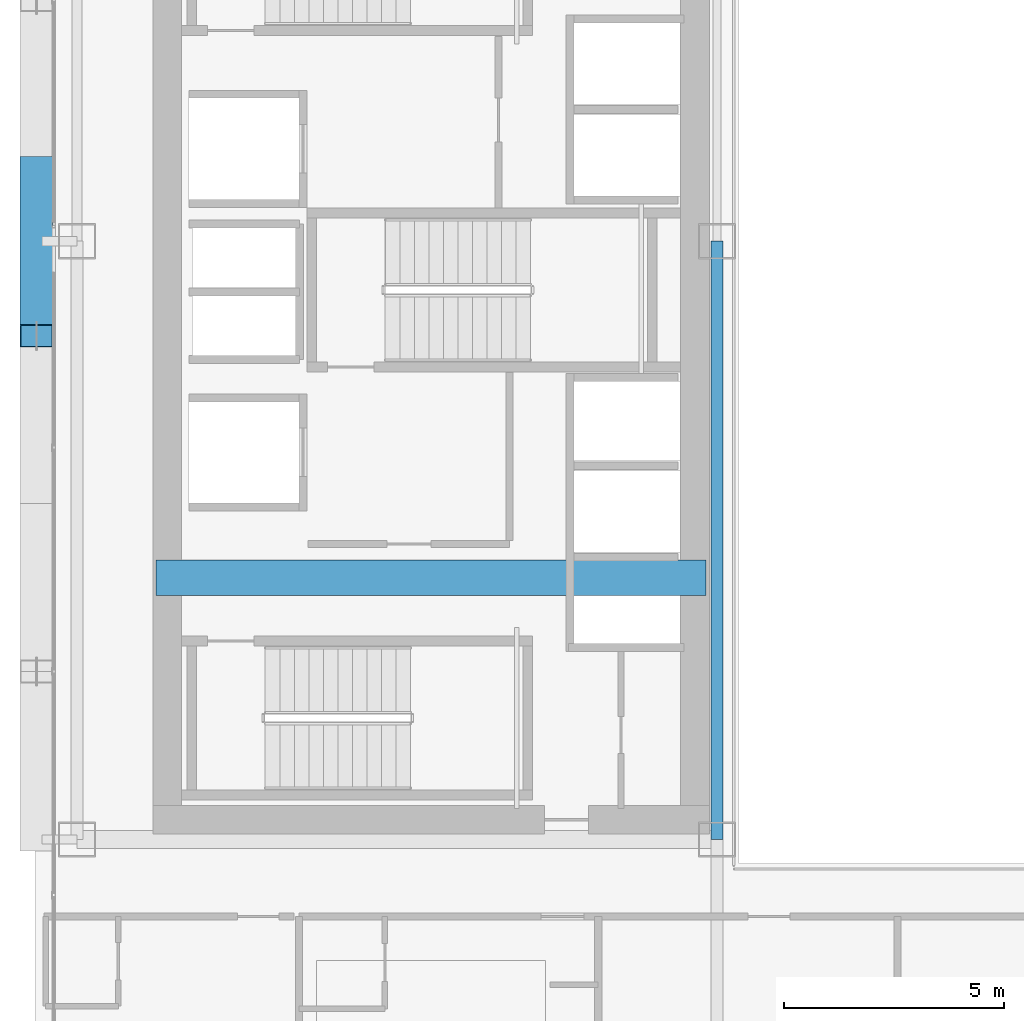
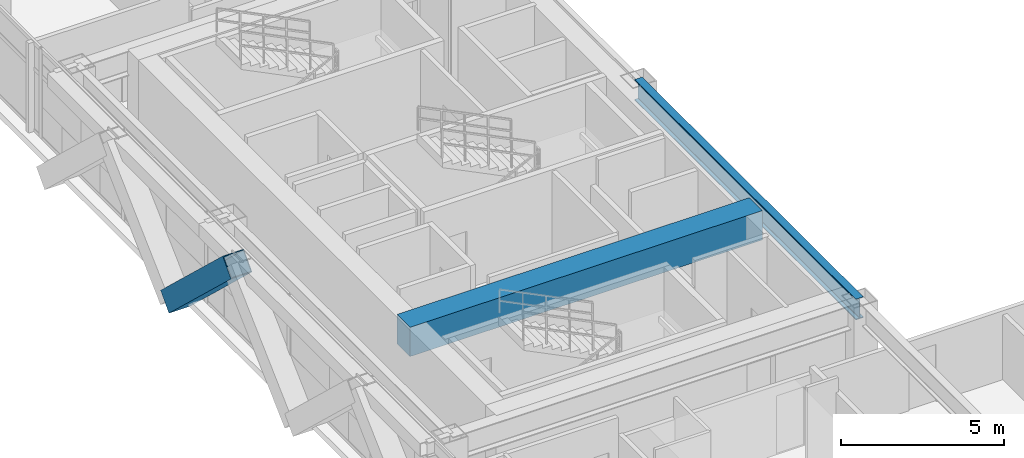
# One storey, part 7 of 35: 2 beams, 1 member.
"""IFC4 building model written with IfcOpenShell, lengths in metres."""

from ifc_helpers import new_model, si_unit, direction, frame, origin, origin_2d, place, context, subcontext, project, spatial, rectangle, hollow_rectangle, i_section, extrude, source, transform, mapped, material, material_profile, profile_set, type_object, element, save


model = new_model("IFC4")

# Units and contexts
model_context = context("Model", 3, precision=1e-05, world=origin(), true_north=direction((0.0, 1.0)))
body_context = subcontext(model_context, "Body", "Model", "MODEL_VIEW")
ifc_project = project(units=[si_unit("LENGTHUNIT", "METRE"), si_unit("AREAUNIT", "SQUARE_METRE"), si_unit("VOLUMEUNIT", "CUBIC_METRE"), si_unit("PLANEANGLEUNIT", "RADIAN"), si_unit("MASSUNIT", "GRAM", prefix="KILO")], contexts=[model_context])

# Site, building, storey
site_placement = place(None, origin())
site = spatial("IfcSite", under=ifc_project, at=site_placement, CompositionType="ELEMENT")
building_placement = place(site_placement, origin())
building = spatial("IfcBuilding", under=site, at=building_placement, Name="Ocotamira Hotel", CompositionType="ELEMENT")
storey_placement = place(building_placement, frame((0.0, 0.0, 140.39990234375)))
storey = spatial("IfcBuildingStorey", under=building, at=storey_placement, Name="L35", CompositionType="ELEMENT", Elevation=140.39990234375)

# Beams
ifc_material_1 = material(Name="Concrete C60/75", Category="concrete")
ifc_material_profile_1 = material_profile(ifc_material_1, rectangle(XDim=0.800048828125, YDim=1.10009765625, at=origin_2d()), Name="RC800X1100")
ifc_profile_set_1 = profile_set([ifc_material_profile_1], Name="Concrete C60/75")
beam_type_1 = type_object("IfcBeamType", Name="BM-LINK-RC800", PredefinedType="LINTEL", material=ifc_profile_set_1)
shared_shape_1 = source(origin(), body_context, "Body", "SweptSolid", [
    extrude(rectangle(XDim=0.800048828125, YDim=1.10009765625, at=origin_2d()), origin(), (0.0, 0.0, 1.0), 12.5),
])
beam_1_placement = place(storey_placement, frame((10.75, 20.5, 2.81005859375), z_axis=(1.0, 0.0, 0.0), x_axis=(0.0, 1.0, 0.0)))
element("IfcBeam", 1, at=beam_1_placement, inside=storey, type_object=beam_type_1, Name="L35 West Core Coupling Beam", PredefinedType="LINTEL", context=body_context, shape_type="MappedRepresentation", body=[
    mapped(shared_shape_1, transform((0.0, 0.0, 0.0), scale=1.0)),
])
ifc_material_2 = material(Name="Steel ASTM A992 Grade 50", Category="steel")
ifc_material_profile_2 = material_profile(ifc_material_2, i_section(OverallWidth=0.26611328125, OverallDepth=0.779052734375, WebThickness=0.0166015625, FlangeThickness=0.030029296875, FilletRadius=0.01806640625, at=origin_2d()), Name="W30X148")
ifc_profile_set_2 = profile_set([ifc_material_profile_2], Name="Steel ASTM A992 Grade 50")
beam_type_2 = type_object("IfcBeamType", Name="BM-GIRD-W30X148", PredefinedType="BEAM", material=ifc_profile_set_2)
shared_shape_2 = source(origin(), body_context, "Body", "SweptSolid", [
    extrude(i_section(OverallWidth=0.26611328125, OverallDepth=0.779052734375, WebThickness=0.0166015625, FlangeThickness=0.030029296875, FilletRadius=0.01806640625, at=origin_2d()), origin(), (0.0, 0.0, 1.0), 13.599853515625),
])
beam_2_placement = place(storey_placement, frame((23.5, 14.550048828125, 2.970703125), z_axis=(0.0, 1.0, 0.0), x_axis=(-1.0, 0.0, 0.0)))
element("IfcBeam", 2, at=beam_2_placement, inside=storey, type_object=beam_type_2, Name="L35 Beam X23.5 Y14.55-28.15", PredefinedType="BEAM", context=body_context, shape_type="MappedRepresentation", body=[
    mapped(shared_shape_2, transform((0.0, 0.0, 0.0), scale=1.0)),
])

# Member
ifc_material_3 = material(Name="Pale-metal coated steel ASTM A913 Grade 65", Category="steel")
ifc_material_profile_3 = material_profile(ifc_material_3, hollow_rectangle(XDim=0.75, YDim=0.75, WallThickness=0.028076171875, at=origin_2d()), Name="BOX750X750X28")
ifc_profile_set_3 = profile_set([ifc_material_profile_3], Name="Pale-metal coated steel ASTM A913 Grade 65")
member_type = type_object("IfcMemberType", Name="MEM-EXO-BOX750", PredefinedType="BRACE", material=ifc_profile_set_3)
shared_shape_3 = source(origin(), body_context, "Body", "SweptSolid", [
    extrude(hollow_rectangle(XDim=0.75, YDim=0.75, WallThickness=0.028076171875, at=origin_2d()), origin(), (0.0, 0.0, 1.0), 5.24658203125),
])
member_placement = place(storey_placement, frame((8.030029296875, 29.816650390625, -0.489990234375), z_axis=(0.0, -0.727442733726, 0.686168397078), x_axis=(1.0, 0.0, 0.0)))
element("IfcMember", 3, at=member_placement, inside=storey, type_object=member_type, Name="L35 Exoskeleton Diagrid W1.2", PredefinedType="BRACE", context=body_context, shape_type="MappedRepresentation", body=[
    mapped(shared_shape_3, transform((0.0, 0.0, 0.0), scale=1.0)),
])

save(model, "model.ifc")
